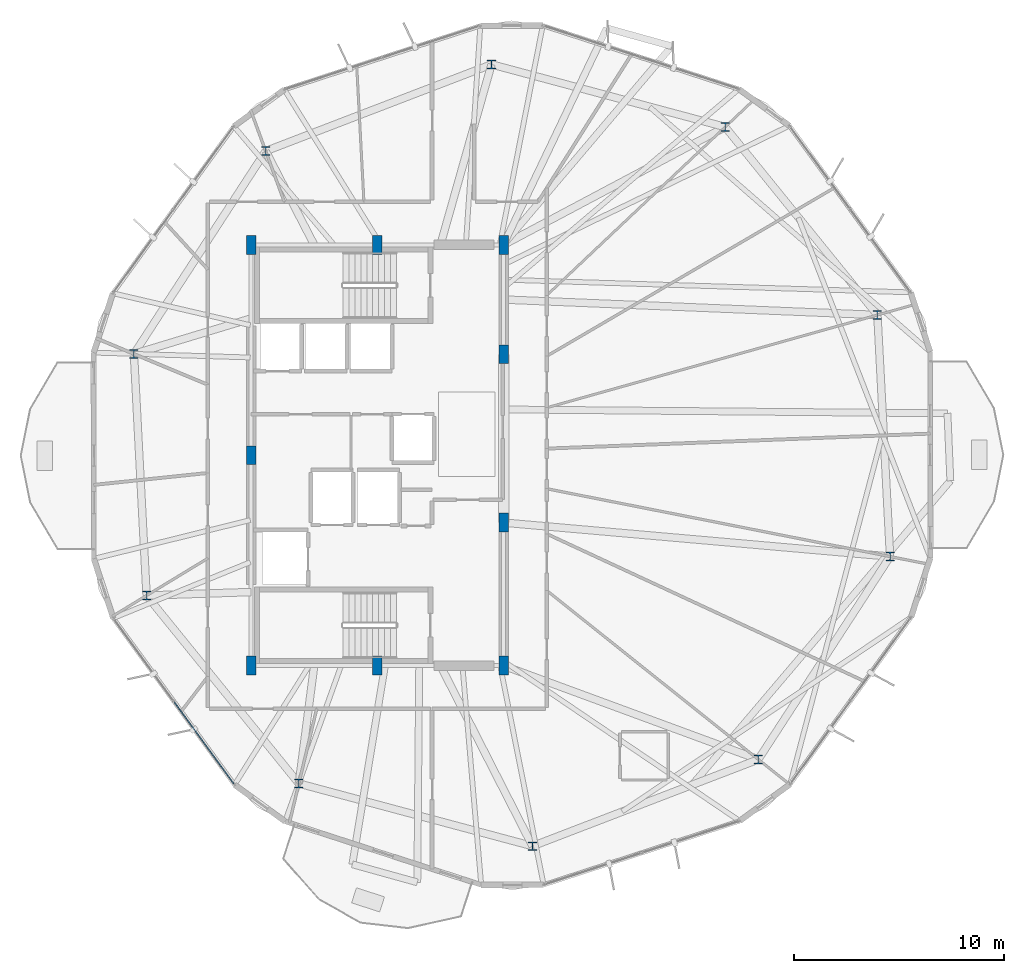
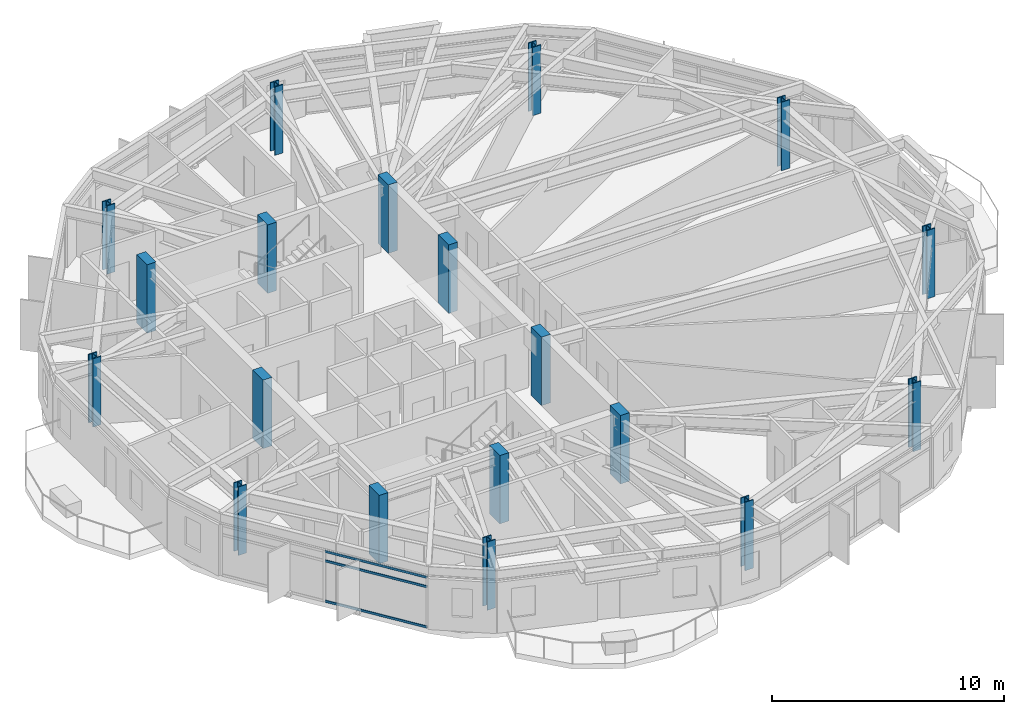
# One storey, part 1 of 31: 19 columns, 3 members, 1 element without a shape of its own.
"""IFC4 building model written with IfcOpenShell, lengths in metres."""

from ifc_helpers import new_model, si_unit, direction, frame, origin, origin_2d, place, context, subcontext, project, spatial, rectangle, hollow_rectangle, i_section, extrude, material, layer, layer_set, material_profile, profile_set, type_object, element, aggregate, save


model = new_model("IFC4")

# Units and contexts
model_context = context("Model", 3, precision=1e-05, world=origin(), true_north=direction((0.0, 1.0)))
body_context = subcontext(model_context, "Body", "Model", "MODEL_VIEW")
ifc_project = project(units=[si_unit("LENGTHUNIT", "METRE"), si_unit("AREAUNIT", "SQUARE_METRE"), si_unit("VOLUMEUNIT", "CUBIC_METRE"), si_unit("PLANEANGLEUNIT", "RADIAN"), si_unit("MASSUNIT", "GRAM", prefix="KILO")], contexts=[model_context])

# Site, building, storey
site_placement = place(None, origin())
site = spatial("IfcSite", under=ifc_project, at=site_placement, CompositionType="ELEMENT")
building_placement = place(site_placement, origin())
building = spatial("IfcBuilding", under=site, at=building_placement, Name="Soratama Intermodal Tower", CompositionType="ELEMENT")
storey_placement = place(building_placement, frame((0.0, 0.0, 230.199951171875)))
storey = spatial("IfcBuildingStorey", under=building, at=storey_placement, Name="L58", CompositionType="ELEMENT", Elevation=230.199951171875)

# Columns
ifc_material_1 = material(Name="Structural steel ASTM A992 Grade 50", Category="steel")
ifc_material_profile_1 = material_profile(ifc_material_1, i_section(OverallWidth=0.406005859375, OverallDepth=0.416015625, WebThickness=0.02978515625, FlangeThickness=0.048095703125, FilletRadius=0.0380859375, at=origin_2d()), Name="W14X257")
ifc_profile_set_1 = profile_set([ifc_material_profile_1], Name="Structural steel ASTM A992 Grade 50")
column_type_1 = type_object("IfcColumnType", Name="COL-ZD-W14X257", PredefinedType="COLUMN", material=ifc_profile_set_1)
for number, where, z_axis, x_axis, name in (
    (1, (62.364501953125, 31.66552734375, 0.0), (0.0, 0.0, 1.0), (1.0, 0.0, 0.0), "L58 Tower Ring Column R01"),
    (2, (55.13037109375, 40.599365234375, 0.0), (0.0, 0.0, 1.0), (1.0, 0.0, 0.0), "L58 Tower Ring Column R02"),
    (3, (44.026611328125, 43.574462890625, 0.0), (0.0, 0.0, 1.0), (1.0, 0.0, 0.0), "L58 Tower Ring Column R03"),
    (4, (33.294677734375, 39.454833984375, 0.0), (0.0, 0.0, 1.0), (1.0, 0.0, 0.0), "L58 Tower Ring Column R04"),
    (5, (27.03369140625, 29.81396484375, 0.0), (0.0, 0.0, 1.0), (1.0, 0.0, 0.0), "L58 Tower Ring Column R05"),
    (6, (27.635498046875, 18.33447265625, 0.0), (0.0, 0.0, 1.0), (1.0, 0.0, 0.0), "L58 Tower Ring Column R06"),
    (7, (34.86962890625, 9.400634765625, 0.0), (0.0, 0.0, 1.0), (1.0, 0.0, 0.0), "L58 Tower Ring Column R07"),
    (8, (45.973388671875, 6.425537109375, 0.0), (0.0, 0.0, 1.0), (1.0, 0.0, 0.0), "L58 Tower Ring Column R08"),
    (9, (56.705322265625, 10.545166015625, 0.0), (0.0, 0.0, 1.0), (1.0, 0.0, 0.0), "L58 Tower Ring Column R09"),
    (10, (62.96630859375, 20.18603515625, 0.0), (0.0, 0.0, 1.0), (1.0, 0.0, 0.0), "L58 Tower Ring Column R10"),
):
    element("IfcColumn", number, at=place(storey_placement, frame(where, z_axis=z_axis, x_axis=x_axis)), inside=storey, type_object=column_type_1, Name=name, PredefinedType="COLUMN", context=body_context, shape_type="SweptSolid", body=[
        extrude(i_section(OverallWidth=0.406005859375, OverallDepth=0.416015625, WebThickness=0.02978515625, FlangeThickness=0.048095703125, FilletRadius=0.0380859375, at=origin_2d()), origin(), (0.0, 0.0, 1.0), 3.60009765625),
    ])
ifc_material_2 = material(Name="Concrete f'c 56 MPa", Category="concrete")
ifc_material_profile_2 = material_profile(ifc_material_2, rectangle(XDim=0.449951171875, YDim=0.89990234375, at=origin_2d()), Name="RC450X900")
ifc_profile_set_2 = profile_set([ifc_material_profile_2], Name="Concrete f'c 56 MPa")
column_type_2 = type_object("IfcColumnType", Name="PIL-CORE-450X900", PredefinedType="PILASTER", material=ifc_profile_set_2)
for number, where, z_axis, x_axis, name in (
    (11, (32.60009765625, 15.0, 0.0), (0.0, 0.0, 1.0), (1.0, 0.0, 0.0), "L58 Core Pilaster 1"),
    (12, (32.60009765625, 25.0, 0.0), (0.0, 0.0, 1.0), (1.0, 0.0, 0.0), "L58 Core Pilaster 2"),
    (13, (32.60009765625, 35.0, 0.0), (0.0, 0.0, 1.0), (1.0, 0.0, 0.0), "L58 Core Pilaster 3"),
    (14, (38.60009765625, 15.0, 0.0), (0.0, 0.0, 1.0), (1.0, 0.0, 0.0), "L58 Core Pilaster 4"),
    (15, (38.60009765625, 35.0, 0.0), (0.0, 0.0, 1.0), (1.0, 0.0, 0.0), "L58 Core Pilaster 5"),
    (16, (44.60009765625, 15.0, 0.0), (0.0, 0.0, 1.0), (1.0, 0.0, 0.0), "L58 Core Pilaster 6"),
    (17, (44.60009765625, 21.800048828125, 0.0), (0.0, 0.0, 1.0), (1.0, 0.0, 0.0), "L58 Core Pilaster 7"),
    (18, (44.60009765625, 29.800048828125, 0.0), (0.0, 0.0, 1.0), (1.0, 0.0, 0.0), "L58 Core Pilaster 8"),
    (19, (44.60009765625, 35.0, 0.0), (0.0, 0.0, 1.0), (1.0, 0.0, 0.0), "L58 Core Pilaster 9"),
):
    element("IfcColumn", number, at=place(storey_placement, frame(where, z_axis=z_axis, x_axis=x_axis)), inside=storey, type_object=column_type_2, Name=name, PredefinedType="PILASTER", context=body_context, shape_type="SweptSolid", body=[
        extrude(rectangle(XDim=0.449951171875, YDim=0.89990234375, at=origin_2d()), origin(), (0.0, 0.0, 1.0), 3.60009765625),
    ])

# Curtain wall, members
ifc_material_3 = material(Name="Double-glazed aluminium curtain wall", Category="aluminium")
ifc_layer = layer(ifc_material_3, 0.159912109375)
ifc_layer_set = layer_set([ifc_layer], Name="Double-glazed aluminium curtain wall")
curtain_wall_type = type_object("IfcCurtainWallType", Name="CW-SYS-5", PredefinedType="NOTDEFINED", material=ifc_layer_set)
curtain_wall_placement = place(storey_placement, origin())
curtain_wall = element("IfcCurtainWall", 20, at=curtain_wall_placement, inside=storey, type_object=curtain_wall_type, Name="L58 Faceted Curtain Wall F05", PredefinedType="NOTDEFINED")
ifc_material_4 = material(Name="Anodised aluminium AA 6063-T6", Category="aluminium")
ifc_material_profile_3 = material_profile(ifc_material_4, hollow_rectangle(XDim=0.06005859375, YDim=0.1298828125, WallThickness=0.0048828125, InnerFilletRadius=0.0048828125, OuterFilletRadius=0.010009765625, at=origin_2d()), Name="CWT130X60X5")
ifc_profile_set_3 = profile_set([ifc_material_profile_3], Name="Anodised aluminium AA 6063-T6")
member_type = type_object("IfcMemberType", Name="TT-CWT-2", PredefinedType="USERDEFINED", material=ifc_profile_set_3)
member_1_placement = place(storey_placement, frame((28.948974609375, 13.275390625, 0.030029296875), z_axis=(0.588657594339, -0.808382481643, 0.0), x_axis=(0.808382481643, 0.588657594339, 0.0)))
member_1 = element("IfcMember", 21, at=member_1_placement, type_object=member_type, Name="CW-5 transom 2.1", ObjectType="TRANSOM", PredefinedType="USERDEFINED", context=body_context, shape_type="SweptSolid", body=[
    extrude(hollow_rectangle(XDim=0.06005859375, YDim=0.1298828125, WallThickness=0.0048828125, InnerFilletRadius=0.0048828125, OuterFilletRadius=0.010009765625, at=origin_2d()), origin(), (0.0, 0.0, 1.0), 4.808837890625),
])
member_2_placement = place(storey_placement, frame((28.948974609375, 13.275390625, 2.150146484375), z_axis=(0.588657594339, -0.808382481643, 0.0), x_axis=(0.808382481643, 0.588657594339, 0.0)))
member_2 = element("IfcMember", 22, at=member_2_placement, type_object=member_type, Name="CW-5 transom 2.2", ObjectType="TRANSOM", PredefinedType="USERDEFINED", context=body_context, shape_type="SweptSolid", body=[
    extrude(hollow_rectangle(XDim=0.06005859375, YDim=0.1298828125, WallThickness=0.0048828125, InnerFilletRadius=0.0048828125, OuterFilletRadius=0.010009765625, at=origin_2d()), origin(), (0.0, 0.0, 1.0), 4.808837890625),
])
member_3_placement = place(storey_placement, frame((28.948974609375, 13.275390625, 2.649169921875), z_axis=(0.588657594339, -0.808382481643, 0.0), x_axis=(0.808382481643, 0.588657594339, 0.0)))
member_3 = element("IfcMember", 23, at=member_3_placement, type_object=member_type, Name="CW-5 transom 2.3", ObjectType="TRANSOM", PredefinedType="USERDEFINED", context=body_context, shape_type="SweptSolid", body=[
    extrude(hollow_rectangle(XDim=0.06005859375, YDim=0.1298828125, WallThickness=0.0048828125, InnerFilletRadius=0.0048828125, OuterFilletRadius=0.010009765625, at=origin_2d()), origin(), (0.0, 0.0, 1.0), 4.808837890625),
])
aggregate(curtain_wall, [member_1, member_2, member_3])

save(model, "model.ifc")
